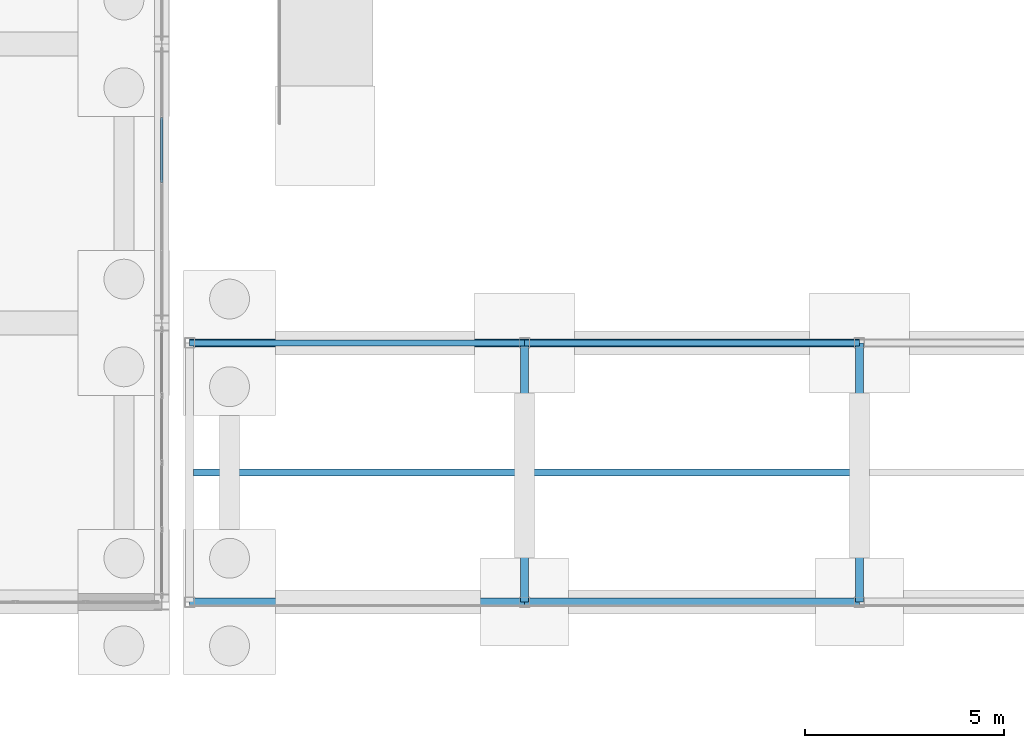
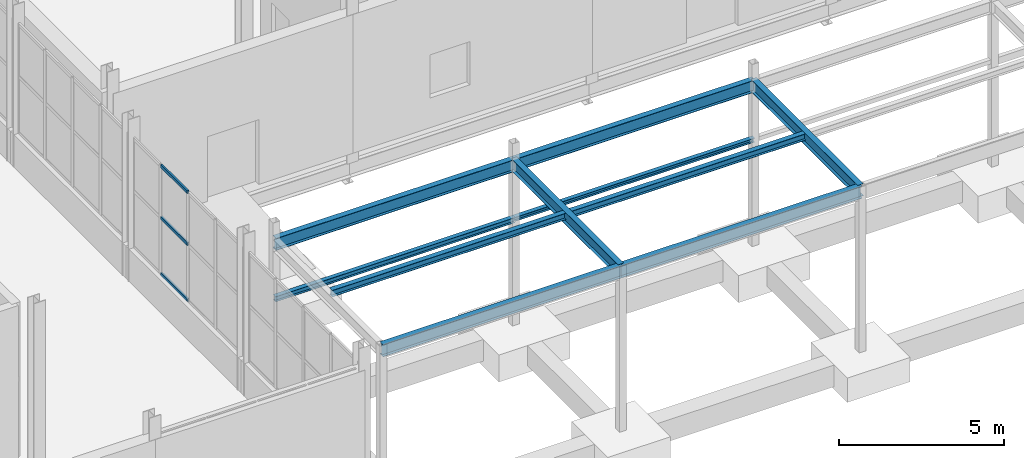
# One storey, part 56 of 139: 10 beams, 3 members, 1 element without a shape of its own.
"""IFC4 building model written with IfcOpenShell, lengths in metres."""

from ifc_helpers import new_model, si_unit, direction, frame, origin, origin_2d, place, context, subcontext, project, spatial, hollow_rectangle, i_section, extrude, material, material_profile, profile_set, type_object, element, aggregate, save


model = new_model("IFC4")

# Units and contexts
model_context = context("Model", 3, precision=1e-05, world=origin(), true_north=direction((0.0, 1.0)))
body_context = subcontext(model_context, "Body", "Model", "MODEL_VIEW")
ifc_project = project(units=[si_unit("LENGTHUNIT", "METRE"), si_unit("AREAUNIT", "SQUARE_METRE"), si_unit("VOLUMEUNIT", "CUBIC_METRE"), si_unit("PLANEANGLEUNIT", "RADIAN"), si_unit("MASSUNIT", "GRAM", prefix="KILO")], contexts=[model_context])

# Site, building, storey
site_placement = place(None, origin())
site = spatial("IfcSite", under=ifc_project, at=site_placement, CompositionType="ELEMENT")
building_placement = place(site_placement, origin())
building = spatial("IfcBuilding", under=site, at=building_placement, Name="Kazenagashi Tramway Depot", CompositionType="ELEMENT")
storey_placement = place(building_placement, origin())
storey = spatial("IfcBuildingStorey", under=building, at=storey_placement, Name="L01", CompositionType="ELEMENT", Elevation=0.0)

# Beams
ifc_material_1 = material(Name="Weathering Steel SMA490W", Category="steel")
ifc_material_profile_1 = material_profile(ifc_material_1, i_section(OverallWidth=0.2, OverallDepth=0.45, WebThickness=0.009, FlangeThickness=0.014, at=origin_2d()), Name="H-450x200x9x14")
ifc_profile_set_1 = profile_set([ifc_material_profile_1], Name="Weathering Steel SMA490W")
beam_type_1 = type_object("IfcBeamType", Name="G-04", PredefinedType="BEAM", material=ifc_profile_set_1)
for number, where, z_axis, x_axis, name in (
    (1, (44.8, 0.0, 5.55), (1.0, 0.0, 0.0), (0.0, 1.0, 0.0), "Beam G-04 BM-1898"),
    (2, (53.2, 0.0, 5.55), (1.0, 0.0, 0.0), (0.0, 1.0, 0.0), "Beam G-04 BM-1899"),
    (3, (44.8, 6.5, 5.55), (1.0, 0.0, 0.0), (0.0, 1.0, 0.0), "Beam G-04 BM-1905"),
    (4, (53.2, 6.5, 5.55), (1.0, 0.0, 0.0), (0.0, 1.0, 0.0), "Beam G-04 BM-1906"),
):
    element("IfcBeam", number, at=place(storey_placement, frame(where, z_axis=z_axis, x_axis=x_axis)), inside=storey, type_object=beam_type_1, Name=name, PredefinedType="BEAM", context=body_context, shape_type="SweptSolid", body=[
        extrude(i_section(OverallWidth=0.2, OverallDepth=0.45, WebThickness=0.009, FlangeThickness=0.014, at=origin_2d()), origin(), (0.0, 0.0, 1.0), 8.4),
    ])
for number, where, z_axis, x_axis, name in (
    (5, (53.2, 0.0, 5.55), (0.0, 1.0, 0.0), (-1.0, 0.0, 0.0), "Beam G-04 BM-1914"),
    (6, (61.6, 0.0, 5.55), (0.0, 1.0, 0.0), (-1.0, 0.0, 0.0), "Beam G-04 BM-1916"),
):
    element("IfcBeam", number, at=place(storey_placement, frame(where, z_axis=z_axis, x_axis=x_axis)), inside=storey, type_object=beam_type_1, Name=name, PredefinedType="BEAM", context=body_context, shape_type="SweptSolid", body=[
        extrude(i_section(OverallWidth=0.2, OverallDepth=0.45, WebThickness=0.009, FlangeThickness=0.014, at=origin_2d()), origin(), (0.0, 0.0, 1.0), 6.5),
    ])
ifc_material_2 = material(Name="Steel SN400B", Category="steel")
ifc_material_profile_2 = material_profile(ifc_material_2, i_section(OverallWidth=0.175, OverallDepth=0.244, WebThickness=0.007, FlangeThickness=0.011, at=origin_2d()), Name="H-244x175x7x11")
ifc_profile_set_2 = profile_set([ifc_material_profile_2], Name="Steel SN400B")
beam_type_2 = type_object("IfcBeamType", Name="J-04", PredefinedType="JOIST", material=ifc_profile_set_2)
for number, where, z_axis, x_axis, name in (
    (7, (44.9, 3.25, 5.653), (1.0, 0.0, 0.0), (0.0, 1.0, 0.0), "Beam J-04 BM-1913"),
    (8, (53.3, 3.25, 5.653), (1.0, 0.0, 0.0), (0.0, 1.0, 0.0), "Beam J-04 BM-1915"),
):
    element("IfcBeam", number, at=place(storey_placement, frame(where, z_axis=z_axis, x_axis=x_axis)), inside=storey, type_object=beam_type_2, Name=name, PredefinedType="JOIST", context=body_context, shape_type="SweptSolid", body=[
        extrude(i_section(OverallWidth=0.175, OverallDepth=0.244, WebThickness=0.007, FlangeThickness=0.011, at=origin_2d()), origin(), (0.0, 0.0, 1.0), 8.2),
    ])
ifc_material_profile_3 = material_profile(ifc_material_2, i_section(OverallWidth=0.15, OverallDepth=0.194, WebThickness=0.006, FlangeThickness=0.009, at=origin_2d()), Name="H-194x150x6x9")
ifc_profile_set_3 = profile_set([ifc_material_profile_3], Name="Steel SN400B")
beam_type_3 = type_object("IfcBeamType", Name="LN-01", PredefinedType="LINTEL", material=ifc_profile_set_3)
beam_1_placement = place(storey_placement, frame((44.8, 6.5, 3.503), z_axis=(1.0, 0.0, 0.0), x_axis=(0.0, 1.0, 0.0)))
element("IfcBeam", 9, at=beam_1_placement, inside=storey, type_object=beam_type_3, Name="Beam LN-01 BM-1926", PredefinedType="LINTEL", context=body_context, shape_type="SweptSolid", body=[
    extrude(i_section(OverallWidth=0.15, OverallDepth=0.194, WebThickness=0.006, FlangeThickness=0.009, at=origin_2d()), origin(), (0.0, 0.0, 1.0), 8.4),
])
ifc_material_profile_4 = material_profile(ifc_material_2, i_section(OverallWidth=0.15, OverallDepth=0.15, WebThickness=0.007, FlangeThickness=0.01, at=origin_2d()), Name="H-150x150x7x10")
ifc_profile_set_4 = profile_set([ifc_material_profile_4], Name="Steel SN400B")
beam_type_4 = type_object("IfcBeamType", Name="LN-02", PredefinedType="LINTEL", material=ifc_profile_set_4)
beam_2_placement = place(storey_placement, frame((53.2, 6.5, 3.525), z_axis=(1.0, 0.0, 0.0), x_axis=(0.0, 1.0, 0.0)))
element("IfcBeam", 10, at=beam_2_placement, inside=storey, type_object=beam_type_4, Name="Beam LN-02 BM-1927", PredefinedType="LINTEL", context=body_context, shape_type="SweptSolid", body=[
    extrude(i_section(OverallWidth=0.15, OverallDepth=0.15, WebThickness=0.007, FlangeThickness=0.01, at=origin_2d()), origin(), (0.0, 0.0, 1.0), 8.4),
])

# Curtain wall, members
ifc_material_3 = material(Name="Anodised Aluminium and Low-E Glazing", Category="aluminium")
curtain_wall_type = type_object("IfcCurtainWallType", Name="CW-33", PredefinedType="USERDEFINED", material=ifc_material_3)
curtain_wall_placement = place(storey_placement, origin())
curtain_wall = element("IfcCurtainWall", 11, at=curtain_wall_placement, inside=storey, type_object=curtain_wall_type, Name="Industrial Glazed Screen CW-33 CW-0182", ObjectType="GLAZED SCREEN", PredefinedType="USERDEFINED")
ifc_material_4 = material(Name="Anodised Aluminium", Category="aluminium")
ifc_material_profile_5 = material_profile(ifc_material_4, hollow_rectangle(XDim=0.06, YDim=0.12, WallThickness=0.004, at=origin_2d()), Name="RHS-120x60x4")
ifc_profile_set_5 = profile_set([ifc_material_profile_5], Name="Anodised Aluminium")
member_type = type_object("IfcMemberType", Name="TR-01", PredefinedType="USERDEFINED", material=ifc_profile_set_5)
member_1_placement = place(storey_placement, frame((44.1, 10.53, 1.23), z_axis=(0.0, 1.0, 0.0), x_axis=(-1.0, 0.0, 0.0)))
member_1 = element("IfcMember", 12, at=member_1_placement, type_object=member_type, Name="CW-33 transom 3.1", ObjectType="TRANSOM", PredefinedType="USERDEFINED", context=body_context, shape_type="SweptSolid", body=[
    extrude(hollow_rectangle(XDim=0.06, YDim=0.12, WallThickness=0.004, at=origin_2d()), origin(), (0.0, 0.0, 1.0), 1.62),
])
member_2_placement = place(storey_placement, frame((44.1, 10.53, 3.312), z_axis=(0.0, 1.0, 0.0), x_axis=(-1.0, 0.0, 0.0)))
member_2 = element("IfcMember", 13, at=member_2_placement, type_object=member_type, Name="CW-33 transom 3.2", ObjectType="TRANSOM", PredefinedType="USERDEFINED", context=body_context, shape_type="SweptSolid", body=[
    extrude(hollow_rectangle(XDim=0.06, YDim=0.12, WallThickness=0.004, at=origin_2d()), origin(), (0.0, 0.0, 1.0), 1.62),
])
member_3_placement = place(storey_placement, frame((44.1, 10.53, 5.232), z_axis=(0.0, 1.0, 0.0), x_axis=(-1.0, 0.0, 0.0)))
member_3 = element("IfcMember", 14, at=member_3_placement, type_object=member_type, Name="CW-33 transom 3.3", ObjectType="TRANSOM", PredefinedType="USERDEFINED", context=body_context, shape_type="SweptSolid", body=[
    extrude(hollow_rectangle(XDim=0.06, YDim=0.12, WallThickness=0.004, at=origin_2d()), origin(), (0.0, 0.0, 1.0), 1.62),
])
aggregate(curtain_wall, [member_1, member_2, member_3])

save(model, "model.ifc")
